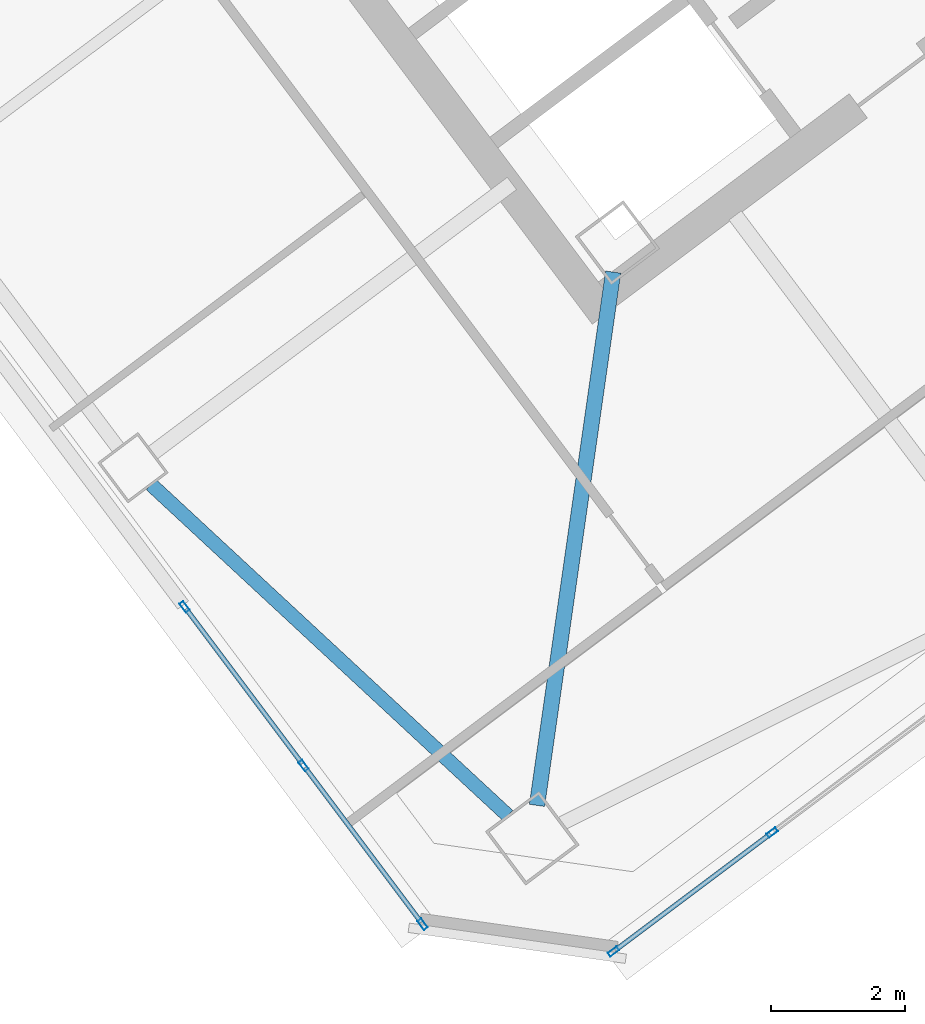
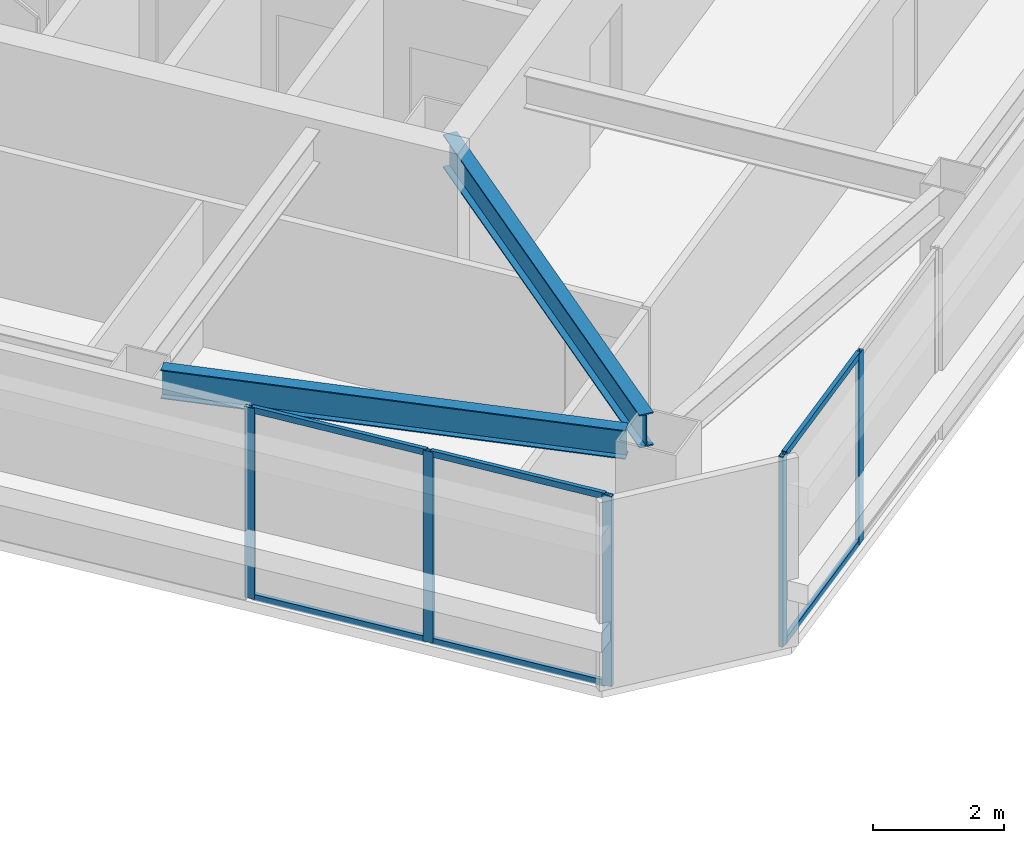
# One storey, part 19 of 44: 11 members, 2 beams, 2 elements without a shape of their own.
"""IFC4 building model written with IfcOpenShell, lengths in metres."""

from ifc_helpers import new_model, si_unit, direction, frame, origin, origin_2d, place, context, subcontext, project, spatial, hollow_rectangle, i_section, extrude, material, material_profile, profile_set, type_object, element, aggregate, save


model = new_model("IFC4")

# Units and contexts
model_context = context("Model", 3, precision=1e-05, world=origin(), true_north=direction((0.0, 1.0)))
body_context = subcontext(model_context, "Body", "Model", "MODEL_VIEW")
ifc_project = project(units=[si_unit("LENGTHUNIT", "METRE"), si_unit("AREAUNIT", "SQUARE_METRE"), si_unit("VOLUMEUNIT", "CUBIC_METRE"), si_unit("PLANEANGLEUNIT", "RADIAN"), si_unit("MASSUNIT", "GRAM", prefix="KILO")], contexts=[model_context])

# Site, building, storey
site_placement = place(None, origin())
site = spatial("IfcSite", under=ifc_project, at=site_placement, CompositionType="ELEMENT")
building_placement = place(site_placement, origin())
building = spatial("IfcBuilding", under=site, at=building_placement, Name="Tashvorn Skyway Center", CompositionType="ELEMENT")
storey_placement = place(building_placement, frame((0.0, 0.0, 211.300048828125)))
storey = spatial("IfcBuildingStorey", under=building, at=storey_placement, Name="L57", CompositionType="ELEMENT", Elevation=211.300048828125)

# Beams
ifc_material_1 = material(Name="Steel ASTM A992 Grade 50", Category="steel")
ifc_material_profile_1 = material_profile(ifc_material_1, i_section(OverallWidth=0.22998046875, OverallDepth=0.616943359375, WebThickness=0.01318359375, FlangeThickness=0.022216796875, at=origin_2d()), Name="W24X94")
ifc_profile_set_1 = profile_set([ifc_material_profile_1], Name="Steel ASTM A992 Grade 50")
beam_type_1 = type_object("IfcBeamType", Name="BM-BEAM-W24X94", PredefinedType="BEAM", material=ifc_profile_set_1)
beam_1_placement = place(storey_placement, frame((111.389892578125, 13.72998046875, 3.0615234375), z_axis=(0.141438360399, 0.989947064346, 0.0), x_axis=(-0.989947064346, 0.141438360399, 0.0)))
element("IfcBeam", 1, at=beam_1_placement, inside=storey, type_object=beam_type_1, Name="Tower 2 L57 Primary Floor Girder MC-SW", PredefinedType="BEAM", context=body_context, shape_type="SweptSolid", body=[
    extrude(i_section(OverallWidth=0.22998046875, OverallDepth=0.616943359375, WebThickness=0.01318359375, FlangeThickness=0.022216796875, at=origin_2d()), origin(), (0.0, 0.0, 1.0), 8.040283203125),
])
ifc_material_profile_2 = material_profile(ifc_material_1, i_section(OverallWidth=0.2109375, OverallDepth=0.5390625, WebThickness=0.01171875, FlangeThickness=0.018798828125, at=origin_2d()), Name="W21X73")
ifc_profile_set_2 = profile_set([ifc_material_profile_2], Name="Steel ASTM A992 Grade 50")
beam_type_2 = type_object("IfcBeamType", Name="BM-SPANDREL-W21X73", PredefinedType="SPANDREL", material=ifc_profile_set_2)
beam_2_placement = place(storey_placement, frame((105.63134765625, 18.518310546875, 3.100341796875), z_axis=(0.733042389989, -0.680182956622, 0.0), x_axis=(0.680182956622, 0.733042389989, 0.0)))
element("IfcBeam", 2, at=beam_2_placement, inside=storey, type_object=beam_type_2, Name="Tower 2 L57 Spandrel Beam 12", PredefinedType="SPANDREL", context=body_context, shape_type="SweptSolid", body=[
    extrude(i_section(OverallWidth=0.2109375, OverallDepth=0.5390625, WebThickness=0.01171875, FlangeThickness=0.018798828125, at=origin_2d()), origin(), (0.0, 0.0, 1.0), 7.26513671875),
])

# Curtain wall, members
ifc_material_2 = material(Name="Thermally broken bronze-anodized aluminium 6063-T6", Category="aluminium")
curtain_wall_type = type_object("IfcCurtainWallType", Name="CW-CW-Z5", PredefinedType="NOTDEFINED", material=ifc_material_2)
curtain_wall_1_placement = place(storey_placement, origin())
curtain_wall_1 = element("IfcCurtainWall", 3, at=curtain_wall_1_placement, inside=storey, type_object=curtain_wall_type, Name="Tower 2 L57 South Unitised Curtain Wall Glazing Group 3", PredefinedType="NOTDEFINED")
ifc_material_profile_3 = material_profile(ifc_material_2, hollow_rectangle(XDim=0.070068359375, YDim=0.1650390625, WallThickness=0.00390625, at=origin_2d()), Name="ALU-MULL-70x165")
ifc_profile_set_3 = profile_set([ifc_material_profile_3], Name="Thermally broken bronze-anodized aluminium 6063-T6")
member_type_1 = type_object("IfcMemberType", Name="CWM-CW-Z5", PredefinedType="MULLION", material=ifc_profile_set_3)
member_1_placement = place(storey_placement, frame((114.900390625, 13.325439453125, 0.0), z_axis=(0.0, 0.0, 1.0), x_axis=(0.600002670604, -0.79999799704, 0.0)))
member_1 = element("IfcMember", 4, at=member_1_placement, type_object=member_type_1, Name="CW-Z5 mullion 2", PredefinedType="MULLION", context=body_context, shape_type="SweptSolid", body=[
    extrude(hollow_rectangle(XDim=0.070068359375, YDim=0.1650390625, WallThickness=0.00390625, at=origin_2d()), origin(), (0.0, 0.0, 1.0), 3.550048828125),
])
member_2_placement = place(storey_placement, frame((112.531982421875, 11.549072265625, 0.0), z_axis=(0.0, 0.0, 1.0), x_axis=(0.600002670604, -0.79999799704, 0.0)))
member_2 = element("IfcMember", 5, at=member_2_placement, type_object=member_type_1, Name="CW-Z5 mullion 3", PredefinedType="MULLION", context=body_context, shape_type="SweptSolid", body=[
    extrude(hollow_rectangle(XDim=0.070068359375, YDim=0.1650390625, WallThickness=0.00390625, at=origin_2d()), origin(), (0.0, 0.0, 1.0), 3.550048828125),
])

curtain_wall_2_placement = place(storey_placement, origin())
curtain_wall_2 = element("IfcCurtainWall", 6, at=curtain_wall_2_placement, inside=storey, type_object=curtain_wall_type, Name="Tower 2 L57 West Unitised Curtain Wall Glazing Group 1", PredefinedType="NOTDEFINED")
member_3_placement = place(storey_placement, frame((109.68310546875, 11.9560546875, 0.0), z_axis=(0.0, 0.0, 1.0), x_axis=(-0.79999799704, -0.600002670604, 0.0)))
member_3 = element("IfcMember", 7, at=member_3_placement, type_object=member_type_1, Name="CW-Z5 mullion 1", PredefinedType="MULLION", context=body_context, shape_type="SweptSolid", body=[
    extrude(hollow_rectangle(XDim=0.070068359375, YDim=0.1650390625, WallThickness=0.00390625, at=origin_2d()), origin(), (0.0, 0.0, 1.0), 3.550048828125),
])
member_4_placement = place(storey_placement, frame((107.90673828125, 14.324462890625, 0.0), z_axis=(0.0, 0.0, 1.0), x_axis=(-0.79999799704, -0.600002670604, 0.0)))
member_4 = element("IfcMember", 8, at=member_4_placement, type_object=member_type_1, Name="CW-Z5 mullion 2", PredefinedType="MULLION", context=body_context, shape_type="SweptSolid", body=[
    extrude(hollow_rectangle(XDim=0.070068359375, YDim=0.1650390625, WallThickness=0.00390625, at=origin_2d()), origin(), (0.0, 0.0, 1.0), 3.550048828125),
])
member_5_placement = place(storey_placement, frame((106.13037109375, 16.69287109375, 0.0), z_axis=(0.0, 0.0, 1.0), x_axis=(-0.79999799704, -0.600002670604, 0.0)))
member_5 = element("IfcMember", 9, at=member_5_placement, type_object=member_type_1, Name="CW-Z5 mullion 3", PredefinedType="MULLION", context=body_context, shape_type="SweptSolid", body=[
    extrude(hollow_rectangle(XDim=0.070068359375, YDim=0.1650390625, WallThickness=0.00390625, at=origin_2d()), origin(), (0.0, 0.0, 1.0), 3.550048828125),
])

# Member
ifc_material_profile_4 = material_profile(ifc_material_2, hollow_rectangle(XDim=0.070068359375, YDim=0.114990234375, WallThickness=0.00390625, at=origin_2d()), Name="ALU-TRAN-70x115")
ifc_profile_set_4 = profile_set([ifc_material_profile_4], Name="Thermally broken bronze-anodized aluminium 6063-T6")
member_type_2 = type_object("IfcMemberType", Name="CWT-CW-Z5", PredefinedType="USERDEFINED", material=ifc_profile_set_4)
member_6_placement = place(storey_placement, frame((114.87255859375, 13.304443359375, 0.034912109375), z_axis=(-0.8, -0.6, 0.0), x_axis=(0.6, -0.8, 0.0)))
member_6 = element("IfcMember", 10, at=member_6_placement, type_object=member_type_2, Name="CW-Z5 transom 2.1", ObjectType="TRANSOM", PredefinedType="USERDEFINED", context=body_context, shape_type="SweptSolid", body=[
    extrude(hollow_rectangle(XDim=0.070068359375, YDim=0.114990234375, WallThickness=0.00390625, at=origin_2d()), origin(), (0.0, 0.0, 1.0), 2.890625),
])

member_7_placement = place(storey_placement, frame((114.87255859375, 13.304443359375, 3.514892578125), z_axis=(-0.8, -0.6, 0.0), x_axis=(0.6, -0.8, 0.0)))
member_7 = element("IfcMember", 11, at=member_7_placement, type_object=member_type_2, Name="CW-Z5 transom 2.2", ObjectType="TRANSOM", PredefinedType="USERDEFINED", context=body_context, shape_type="SweptSolid", body=[
    extrude(hollow_rectangle(XDim=0.070068359375, YDim=0.114990234375, WallThickness=0.00390625, at=origin_2d()), origin(), (0.0, 0.0, 1.0), 2.890625),
])

aggregate(curtain_wall_1, [member_1, member_2, member_6, member_7])

member_8_placement = place(storey_placement, frame((109.662109375, 11.98388671875, 0.034912109375), z_axis=(-0.6, 0.8, 0.0), x_axis=(-0.8, -0.6, 0.0)))
member_8 = element("IfcMember", 12, at=member_8_placement, type_object=member_type_2, Name="CW-Z5 transom 1.1", ObjectType="TRANSOM", PredefinedType="USERDEFINED", context=body_context, shape_type="SweptSolid", body=[
    extrude(hollow_rectangle(XDim=0.070068359375, YDim=0.114990234375, WallThickness=0.00390625, at=origin_2d()), origin(), (0.0, 0.0, 1.0), 2.890625),
])

member_9_placement = place(storey_placement, frame((109.662109375, 11.98388671875, 3.514892578125), z_axis=(-0.6, 0.8, 0.0), x_axis=(-0.8, -0.6, 0.0)))
member_9 = element("IfcMember", 13, at=member_9_placement, type_object=member_type_2, Name="CW-Z5 transom 1.2", ObjectType="TRANSOM", PredefinedType="USERDEFINED", context=body_context, shape_type="SweptSolid", body=[
    extrude(hollow_rectangle(XDim=0.070068359375, YDim=0.114990234375, WallThickness=0.00390625, at=origin_2d()), origin(), (0.0, 0.0, 1.0), 2.890625),
])

member_10_placement = place(storey_placement, frame((107.8857421875, 14.3525390625, 0.034912109375), z_axis=(-0.600040542509, 0.799969591513, 0.0), x_axis=(-0.799969591513, -0.600040542509, 0.0)))
member_10 = element("IfcMember", 14, at=member_10_placement, type_object=member_type_2, Name="CW-Z5 transom 2.1", ObjectType="TRANSOM", PredefinedType="USERDEFINED", context=body_context, shape_type="SweptSolid", body=[
    extrude(hollow_rectangle(XDim=0.070068359375, YDim=0.114990234375, WallThickness=0.00390625, at=origin_2d()), origin(), (0.0, 0.0, 1.0), 2.890380859375),
])

member_11_placement = place(storey_placement, frame((107.8857421875, 14.3525390625, 3.514892578125), z_axis=(-0.600040542509, 0.799969591513, 0.0), x_axis=(-0.799969591513, -0.600040542509, 0.0)))
member_11 = element("IfcMember", 15, at=member_11_placement, type_object=member_type_2, Name="CW-Z5 transom 2.2", ObjectType="TRANSOM", PredefinedType="USERDEFINED", context=body_context, shape_type="SweptSolid", body=[
    extrude(hollow_rectangle(XDim=0.070068359375, YDim=0.114990234375, WallThickness=0.00390625, at=origin_2d()), origin(), (0.0, 0.0, 1.0), 2.890380859375),
])

aggregate(curtain_wall_2, [member_3, member_4, member_5, member_8, member_9, member_10, member_11])

save(model, "model.ifc")
